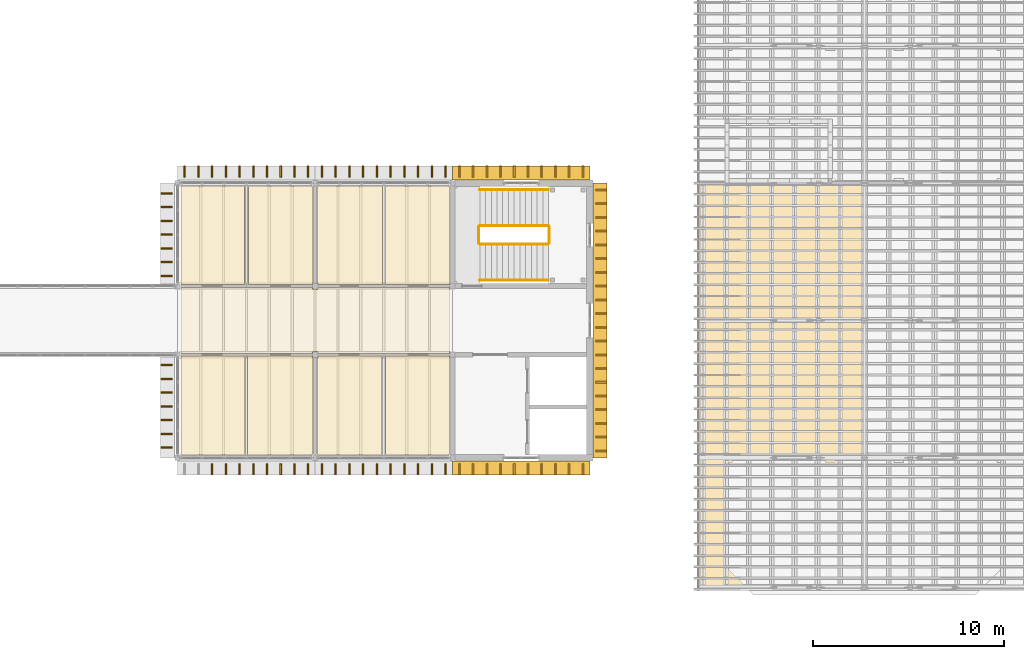
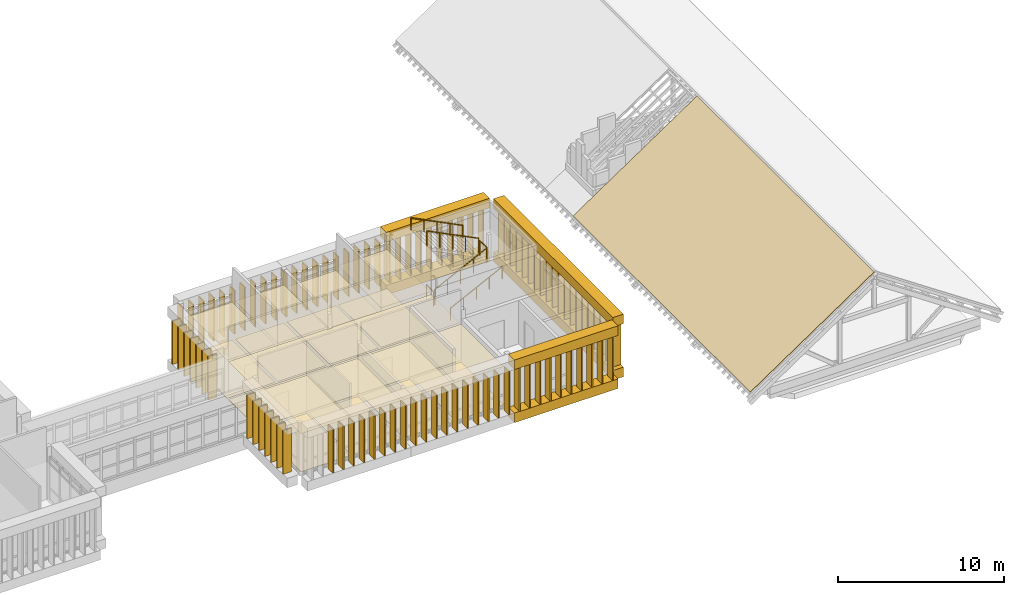
# One storey, part 49 of 51: 117 coverings, 6 railings.
"""IFC4 building model written with IfcOpenShell, lengths in metres."""

from ifc_helpers import new_model, si_unit, direction, frame, origin, origin_2d, place, context, subcontext, project, spatial, polyline, rectangle, circle, outline, extrude, material, layer, layer_set, type_object, element, save


model = new_model("IFC4")

# Units and contexts
model_context = context("Model", 3, precision=1e-05, world=origin(), true_north=direction((0.0, 1.0)))
body_context = subcontext(model_context, "Body", "Model", "MODEL_VIEW")
ifc_project = project(units=[si_unit("LENGTHUNIT", "METRE"), si_unit("AREAUNIT", "SQUARE_METRE"), si_unit("VOLUMEUNIT", "CUBIC_METRE"), si_unit("PLANEANGLEUNIT", "RADIAN"), si_unit("MASSUNIT", "GRAM", prefix="KILO")], contexts=[model_context])

# Site, building, storey
site_placement = place(None, origin())
site = spatial("IfcSite", under=ifc_project, at=site_placement, CompositionType="ELEMENT")
building_placement = place(site_placement, origin())
building = spatial("IfcBuilding", under=site, at=building_placement, Name="Mazhai Court Health Centre", CompositionType="ELEMENT")
storey_placement = place(building_placement, frame((0.0, 0.0, 14.10009765625)))
storey = spatial("IfcBuildingStorey", under=building, at=storey_placement, Name="L03", CompositionType="ELEMENT", Elevation=14.10009765625)

# Coverings
ifc_material_1 = material(Name="Gypsum plasterboard ceiling")
ifc_layer_1 = layer(ifc_material_1, 0.02001953125)
ifc_layer_set_1 = layer_set([ifc_layer_1], Name="CEILING GYPSUM BOARD 20")
covering_type_1 = type_object("IfcCoveringType", Name="CEILING GYPSUM BOARD 20", PredefinedType="CEILING", material=ifc_layer_set_1)
covering_1_placement = place(storey_placement, frame((0.0, 0.0, 2.7998046875)))
element("IfcCovering", 1, at=covering_1_placement, inside=storey, type_object=covering_type_1, Name="ceil-V4-L03-A1-immunisation-room", PredefinedType="CEILING", context=body_context, shape_type="SweptSolid", body=[
    extrude(outline(polyline([(110.53759765625, 13.56494140625), (110.53759765625, 18.72509765625), (107.1650390625, 18.72509765625), (107.1650390625, 13.56494140625), (110.53759765625, 13.56494140625)])), origin(), (0.0, 0.0, 1.0), 0.02001953125),
])
covering_2_placement = place(storey_placement, frame((0.0, 0.0, 2.7998046875)))
element("IfcCovering", 2, at=covering_2_placement, inside=storey, type_object=covering_type_1, Name="ceil-V4-L03-A1-lactation-room", PredefinedType="CEILING", context=body_context, shape_type="SweptSolid", body=[
    extrude(outline(polyline([(114.10009765625, 18.659912109375), (114.06005859375, 18.659912109375), (114.06005859375, 18.72509765625), (110.66259765625, 18.72509765625), (110.66259765625, 13.56494140625), (114.10009765625, 13.56494140625), (114.10009765625, 18.659912109375)])), origin(), (0.0, 0.0, 1.0), 0.02001953125),
])
covering_3_placement = place(storey_placement, frame((0.0, 0.0, 2.7998046875)))
element("IfcCovering", 3, at=covering_3_placement, inside=storey, type_object=covering_type_1, Name="ceil-V4-L03-A1-psychiatry-consulting-room-1", PredefinedType="CEILING", context=body_context, shape_type="SweptSolid", body=[
    extrude(outline(polyline([(114.340087890625, 18.72509765625), (114.340087890625, 18.659912109375), (114.300048828125, 18.659912109375), (114.300048828125, 13.56494140625), (117.699951171875, 13.56494140625), (117.699951171875, 18.72509765625), (114.340087890625, 18.72509765625)])), origin(), (0.0, 0.0, 1.0), 0.02001953125),
])
covering_4_placement = place(storey_placement, frame((0.0, 0.0, 2.7998046875)))
element("IfcCovering", 4, at=covering_4_placement, inside=storey, type_object=covering_type_1, Name="ceil-V4-L03-A1-psychiatry-consulting-room-2", PredefinedType="CEILING", context=body_context, shape_type="SweptSolid", body=[
    extrude(outline(polyline([(121.27490234375, 18.659912109375), (121.260009765625, 18.659912109375), (121.260009765625, 18.72509765625), (117.89990234375, 18.72509765625), (117.89990234375, 13.56494140625), (121.27490234375, 13.56494140625), (121.27490234375, 18.659912109375)])), origin(), (0.0, 0.0, 1.0), 0.02001953125),
])
covering_5_placement = place(storey_placement, frame((0.0, 0.0, 2.7998046875)))
element("IfcCovering", 5, at=covering_5_placement, inside=storey, type_object=covering_type_1, Name="ceil-V4-L03-B1-assessment-room", PredefinedType="CEILING", context=body_context, shape_type="SweptSolid", body=[
    extrude(outline(polyline([(110.5, 22.47509765625), (110.5, 27.635009765625), (107.1650390625, 27.635009765625), (107.1650390625, 22.47509765625), (110.5, 22.47509765625)])), origin(), (0.0, 0.0, 1.0), 0.02001953125),
])
covering_6_placement = place(storey_placement, frame((0.0, 0.0, 2.7998046875)))
element("IfcCovering", 6, at=covering_6_placement, inside=storey, type_object=covering_type_1, Name="ceil-V4-L03-B1-quiet-room", PredefinedType="CEILING", context=body_context, shape_type="SweptSolid", body=[
    extrude(outline(polyline([(114.06005859375, 22.47509765625), (114.06005859375, 22.5400390625), (114.10009765625, 22.5400390625), (114.10009765625, 27.635009765625), (110.699951171875, 27.635009765625), (110.699951171875, 22.47509765625), (114.06005859375, 22.47509765625)])), origin(), (0.0, 0.0, 1.0), 0.02001953125),
])
covering_7_placement = place(storey_placement, frame((0.0, 0.0, 2.89990234375)))
element("IfcCovering", 7, at=covering_7_placement, inside=storey, type_object=covering_type_1, Name="ceil-V4-L03-B1-health-administration-office", PredefinedType="CEILING", context=body_context, shape_type="SweptSolid", body=[
    extrude(outline(polyline([(121.260009765625, 22.47509765625), (121.260009765625, 22.5400390625), (121.27490234375, 22.5400390625), (121.27490234375, 27.635009765625), (117.875, 27.635009765625), (117.875, 22.47509765625), (121.260009765625, 22.47509765625)])), origin(), (0.0, 0.0, 1.0), 0.02001953125),
])
ifc_material_2 = material(Name="Mineral fibre ceiling tile")
ifc_layer_2 = layer(ifc_material_2, 0.014892578125)
ifc_layer_set_2 = layer_set([ifc_layer_2], Name="CEILING MINERAL FIBRE TILE 15")
covering_type_2 = type_object("IfcCoveringType", Name="CEILING MINERAL FIBRE TILE 15", PredefinedType="CEILING", material=ifc_layer_set_2)
covering_8_placement = place(storey_placement, frame((0.0, 0.0, 2.7998046875)))
element("IfcCovering", 8, at=covering_8_placement, inside=storey, type_object=covering_type_2, Name="ceil-V4-L03-corridor-1", PredefinedType="CEILING", context=body_context, shape_type="SweptSolid", body=[
    extrude(outline(polyline([(121.27490234375, 22.260009765625), (121.260009765625, 22.260009765625), (121.260009765625, 22.324951171875), (114.340087890625, 22.324951171875), (114.340087890625, 22.260009765625), (114.06005859375, 22.260009765625), (114.06005859375, 22.324951171875), (107.1650390625, 22.324951171875), (107.1650390625, 18.875), (114.06005859375, 18.875), (114.06005859375, 18.93994140625), (114.340087890625, 18.93994140625), (114.340087890625, 18.875), (121.260009765625, 18.875), (121.260009765625, 18.93994140625), (121.27490234375, 18.93994140625), (121.27490234375, 22.260009765625)])), origin(), (0.0, 0.0, 1.0), 0.01513671875),
])
ifc_material_3 = material(Name="Moisture resistant gypsum ceiling")
ifc_layer_3 = layer(ifc_material_3, 0.014892578125)
ifc_layer_set_3 = layer_set([ifc_layer_3], Name="CEILING MOISTURE RESISTANT BOARD 15")
covering_type_3 = type_object("IfcCoveringType", Name="CEILING MOISTURE RESISTANT BOARD 15", PredefinedType="CEILING", material=ifc_layer_set_3)
covering_9_placement = place(storey_placement, frame((0.0, 0.0, 2.599853515625)))
element("IfcCovering", 9, at=covering_9_placement, inside=storey, type_object=covering_type_3, Name="ceil-V4-L03-B1-accessible-wc", PredefinedType="CEILING", context=body_context, shape_type="SweptSolid", body=[
    extrude(outline(polyline([(114.300048828125, 22.5400390625), (114.340087890625, 22.5400390625), (114.340087890625, 22.47509765625), (117.72509765625, 22.47509765625), (117.72509765625, 27.635009765625), (114.300048828125, 27.635009765625), (114.300048828125, 22.5400390625)])), origin(), (0.0, 0.0, 1.0), 0.01513671875),
])
ifc_material_4 = material(Name="Glulam GL24h", Category="wood")
covering_type_4 = type_object("IfcCoveringType", Name="FIN RAIL CLADDING 735x700", PredefinedType="CLADDING", material=ifc_material_4)
for number, where, z_axis, x_axis, name in (
    (10, (125.0, 12.866943359375, -0.7001953125), (0.0, 0.0, 1.0), (1.0, 0.0, 0.0), "FR-V4-A5-L03"),
    (11, (125.0, 12.866943359375, 3.19970703125), (0.0, 0.0, 1.0), (1.0, 0.0, 0.0), "FR-V4-A5-RF"),
    (12, (125.0, 28.33203125, -0.7001953125), (0.0, 0.0, 1.0), (1.0, 0.0, 0.0), "FR-V4-B5-L03"),
    (13, (125.0, 28.33203125, 3.19970703125), (0.0, 0.0, 1.0), (1.0, 0.0, 0.0), "FR-V4-B5-RF"),
):
    element("IfcCovering", number, at=place(storey_placement, frame(where, z_axis=z_axis, x_axis=x_axis)), inside=storey, type_object=covering_type_4, Name=name, PredefinedType="CLADDING", context=body_context, shape_type="SweptSolid", body=[
        extrude(rectangle(XDim=7.199951171875, YDim=0.735107421875, at=origin_2d()), origin(), (0.0, 0.0, 1.0), 0.699951171875),
    ])
for number, where, z_axis, x_axis, name in (
    (14, (129.132080078125, 20.60009765625, -0.7001953125), (0.0, 0.0, 1.0), (1.0, 0.0, 0.0), "FR-V4-E-L03"),
    (15, (129.132080078125, 20.60009765625, 3.19970703125), (0.0, 0.0, 1.0), (1.0, 0.0, 0.0), "FR-V4-E-RF"),
):
    element("IfcCovering", number, at=place(storey_placement, frame(where, z_axis=z_axis, x_axis=x_axis)), inside=storey, type_object=covering_type_4, Name=name, PredefinedType="CLADDING", context=body_context, shape_type="SweptSolid", body=[
        extrude(rectangle(XDim=0.735107421875, YDim=14.39990234375, at=origin_2d()), origin(), (0.0, 0.0, 1.0), 0.699951171875),
    ])
ifc_material_5 = material(Name="Teak timber", Category="wood")
covering_type_5 = type_object("IfcCoveringType", Name="FIN TIMBER 80x600", PredefinedType="CLADDING", material=ifc_material_5)
for number, where, z_axis, x_axis, name in (
    (16, (108.800048828125, 12.800048828125, 0.0), (0.0, 0.0, 1.0), (1.0, 0.0, 0.0), "FN-V4-A3-L03-02"),
    (17, (109.52001953125, 12.800048828125, 0.0), (0.0, 0.0, 1.0), (1.0, 0.0, 0.0), "FN-V4-A3-L03-03"),
    (18, (110.239990234375, 12.800048828125, 0.0), (0.0, 0.0, 1.0), (1.0, 0.0, 0.0), "FN-V4-A3-L03-04"),
    (19, (110.9599609375, 12.800048828125, 0.0), (0.0, 0.0, 1.0), (1.0, 0.0, 0.0), "FN-V4-A3-L03-05"),
    (20, (111.679931640625, 12.800048828125, 0.0), (0.0, 0.0, 1.0), (1.0, 0.0, 0.0), "FN-V4-A3-L03-06"),
    (21, (112.39990234375, 12.800048828125, 0.0), (0.0, 0.0, 1.0), (1.0, 0.0, 0.0), "FN-V4-A3-L03-07"),
    (22, (113.1201171875, 12.800048828125, 0.0), (0.0, 0.0, 1.0), (1.0, 0.0, 0.0), "FN-V4-A3-L03-08"),
    (23, (113.840087890625, 12.800048828125, 0.0), (0.0, 0.0, 1.0), (1.0, 0.0, 0.0), "FN-V4-A3-L03-09"),
    (24, (114.56005859375, 12.800048828125, 0.0), (0.0, 0.0, 1.0), (1.0, 0.0, 0.0), "FN-V4-A4-L03-00"),
    (25, (115.280029296875, 12.800048828125, 0.0), (0.0, 0.0, 1.0), (1.0, 0.0, 0.0), "FN-V4-A4-L03-01"),
    (26, (116.0, 12.800048828125, 0.0), (0.0, 0.0, 1.0), (1.0, 0.0, 0.0), "FN-V4-A4-L03-02"),
    (27, (116.719970703125, 12.800048828125, 0.0), (0.0, 0.0, 1.0), (1.0, 0.0, 0.0), "FN-V4-A4-L03-03"),
    (28, (117.43994140625, 12.800048828125, 0.0), (0.0, 0.0, 1.0), (1.0, 0.0, 0.0), "FN-V4-A4-L03-04"),
    (29, (118.159912109375, 12.800048828125, 0.0), (0.0, 0.0, 1.0), (1.0, 0.0, 0.0), "FN-V4-A4-L03-05"),
    (30, (118.8798828125, 12.800048828125, 0.0), (0.0, 0.0, 1.0), (1.0, 0.0, 0.0), "FN-V4-A4-L03-06"),
    (31, (119.60009765625, 12.800048828125, 0.0), (0.0, 0.0, 1.0), (1.0, 0.0, 0.0), "FN-V4-A4-L03-07"),
    (32, (120.320068359375, 12.800048828125, 0.0), (0.0, 0.0, 1.0), (1.0, 0.0, 0.0), "FN-V4-A4-L03-08"),
    (33, (121.0400390625, 12.800048828125, 0.0), (0.0, 0.0, 1.0), (1.0, 0.0, 0.0), "FN-V4-A4-L03-09"),
    (34, (121.760009765625, 12.800048828125, 0.0), (0.0, 0.0, 1.0), (1.0, 0.0, 0.0), "FN-V4-A5-L03-00"),
    (35, (122.47998046875, 12.800048828125, 0.0), (0.0, 0.0, 1.0), (1.0, 0.0, 0.0), "FN-V4-A5-L03-01"),
    (36, (123.199951171875, 12.800048828125, 0.0), (0.0, 0.0, 1.0), (1.0, 0.0, 0.0), "FN-V4-A5-L03-02"),
    (37, (123.919921875, 12.800048828125, 0.0), (0.0, 0.0, 1.0), (1.0, 0.0, 0.0), "FN-V4-A5-L03-03"),
    (38, (124.639892578125, 12.800048828125, 0.0), (0.0, 0.0, 1.0), (1.0, 0.0, 0.0), "FN-V4-A5-L03-04"),
    (39, (125.360107421875, 12.800048828125, 0.0), (0.0, 0.0, 1.0), (1.0, 0.0, 0.0), "FN-V4-A5-L03-05"),
    (40, (126.080078125, 12.800048828125, 0.0), (0.0, 0.0, 1.0), (1.0, 0.0, 0.0), "FN-V4-A5-L03-06"),
    (41, (126.800048828125, 12.800048828125, 0.0), (0.0, 0.0, 1.0), (1.0, 0.0, 0.0), "FN-V4-A5-L03-07"),
    (42, (127.52001953125, 12.800048828125, 0.0), (0.0, 0.0, 1.0), (1.0, 0.0, 0.0), "FN-V4-A5-L03-08"),
    (43, (128.239990234375, 12.800048828125, 0.0), (0.0, 0.0, 1.0), (1.0, 0.0, 0.0), "FN-V4-A5-L03-09"),
    (44, (107.360107421875, 28.39990234375, 0.0), (0.0, 0.0, 1.0), (1.0, 0.0, 0.0), "FN-V4-B3-L03-00"),
    (45, (108.080078125, 28.39990234375, 0.0), (0.0, 0.0, 1.0), (1.0, 0.0, 0.0), "FN-V4-B3-L03-01"),
    (46, (108.800048828125, 28.39990234375, 0.0), (0.0, 0.0, 1.0), (1.0, 0.0, 0.0), "FN-V4-B3-L03-02"),
    (47, (109.52001953125, 28.39990234375, 0.0), (0.0, 0.0, 1.0), (1.0, 0.0, 0.0), "FN-V4-B3-L03-03"),
    (48, (110.239990234375, 28.39990234375, 0.0), (0.0, 0.0, 1.0), (1.0, 0.0, 0.0), "FN-V4-B3-L03-04"),
    (49, (110.9599609375, 28.39990234375, 0.0), (0.0, 0.0, 1.0), (1.0, 0.0, 0.0), "FN-V4-B3-L03-05"),
    (50, (111.679931640625, 28.39990234375, 0.0), (0.0, 0.0, 1.0), (1.0, 0.0, 0.0), "FN-V4-B3-L03-06"),
    (51, (112.39990234375, 28.39990234375, 0.0), (0.0, 0.0, 1.0), (1.0, 0.0, 0.0), "FN-V4-B3-L03-07"),
    (52, (113.1201171875, 28.39990234375, 0.0), (0.0, 0.0, 1.0), (1.0, 0.0, 0.0), "FN-V4-B3-L03-08"),
    (53, (113.840087890625, 28.39990234375, 0.0), (0.0, 0.0, 1.0), (1.0, 0.0, 0.0), "FN-V4-B3-L03-09"),
    (54, (114.56005859375, 28.39990234375, 0.0), (0.0, 0.0, 1.0), (1.0, 0.0, 0.0), "FN-V4-B4-L03-00"),
    (55, (115.280029296875, 28.39990234375, 0.0), (0.0, 0.0, 1.0), (1.0, 0.0, 0.0), "FN-V4-B4-L03-01"),
    (56, (116.0, 28.39990234375, 0.0), (0.0, 0.0, 1.0), (1.0, 0.0, 0.0), "FN-V4-B4-L03-02"),
    (57, (116.719970703125, 28.39990234375, 0.0), (0.0, 0.0, 1.0), (1.0, 0.0, 0.0), "FN-V4-B4-L03-03"),
    (58, (117.43994140625, 28.39990234375, 0.0), (0.0, 0.0, 1.0), (1.0, 0.0, 0.0), "FN-V4-B4-L03-04"),
    (59, (118.159912109375, 28.39990234375, 0.0), (0.0, 0.0, 1.0), (1.0, 0.0, 0.0), "FN-V4-B4-L03-05"),
    (60, (118.8798828125, 28.39990234375, 0.0), (0.0, 0.0, 1.0), (1.0, 0.0, 0.0), "FN-V4-B4-L03-06"),
    (61, (119.60009765625, 28.39990234375, 0.0), (0.0, 0.0, 1.0), (1.0, 0.0, 0.0), "FN-V4-B4-L03-07"),
    (62, (120.320068359375, 28.39990234375, 0.0), (0.0, 0.0, 1.0), (1.0, 0.0, 0.0), "FN-V4-B4-L03-08"),
    (63, (121.0400390625, 28.39990234375, 0.0), (0.0, 0.0, 1.0), (1.0, 0.0, 0.0), "FN-V4-B4-L03-09"),
    (64, (121.760009765625, 28.39990234375, 0.0), (0.0, 0.0, 1.0), (1.0, 0.0, 0.0), "FN-V4-B5-L03-00"),
    (65, (122.47998046875, 28.39990234375, 0.0), (0.0, 0.0, 1.0), (1.0, 0.0, 0.0), "FN-V4-B5-L03-01"),
    (66, (123.199951171875, 28.39990234375, 0.0), (0.0, 0.0, 1.0), (1.0, 0.0, 0.0), "FN-V4-B5-L03-02"),
    (67, (123.919921875, 28.39990234375, 0.0), (0.0, 0.0, 1.0), (1.0, 0.0, 0.0), "FN-V4-B5-L03-03"),
    (68, (124.639892578125, 28.39990234375, 0.0), (0.0, 0.0, 1.0), (1.0, 0.0, 0.0), "FN-V4-B5-L03-04"),
    (69, (125.360107421875, 28.39990234375, 0.0), (0.0, 0.0, 1.0), (1.0, 0.0, 0.0), "FN-V4-B5-L03-05"),
    (70, (126.080078125, 28.39990234375, 0.0), (0.0, 0.0, 1.0), (1.0, 0.0, 0.0), "FN-V4-B5-L03-06"),
    (71, (126.800048828125, 28.39990234375, 0.0), (0.0, 0.0, 1.0), (1.0, 0.0, 0.0), "FN-V4-B5-L03-07"),
    (72, (127.52001953125, 28.39990234375, 0.0), (0.0, 0.0, 1.0), (1.0, 0.0, 0.0), "FN-V4-B5-L03-08"),
    (73, (128.239990234375, 28.39990234375, 0.0), (0.0, 0.0, 1.0), (1.0, 0.0, 0.0), "FN-V4-B5-L03-09"),
    (74, (129.199951171875, 13.760009765625, 0.0), (0.0, 0.0, 1.0), (0.0, 1.0, 0.0), "FN-V4-E-L03-00"),
    (75, (129.199951171875, 14.47998046875, 0.0), (0.0, 0.0, 1.0), (0.0, 1.0, 0.0), "FN-V4-E-L03-01"),
    (76, (129.199951171875, 15.199951171875, 0.0), (0.0, 0.0, 1.0), (0.0, 1.0, 0.0), "FN-V4-E-L03-02"),
    (77, (129.199951171875, 15.919921875, 0.0), (0.0, 0.0, 1.0), (0.0, 1.0, 0.0), "FN-V4-E-L03-03"),
    (78, (129.199951171875, 16.639892578125, 0.0), (0.0, 0.0, 1.0), (0.0, 1.0, 0.0), "FN-V4-E-L03-04"),
    (79, (129.199951171875, 17.360107421875, 0.0), (0.0, 0.0, 1.0), (0.0, 1.0, 0.0), "FN-V4-E-L03-05"),
    (80, (129.199951171875, 18.080078125, 0.0), (0.0, 0.0, 1.0), (0.0, 1.0, 0.0), "FN-V4-E-L03-06"),
    (81, (129.199951171875, 18.800048828125, 0.0), (0.0, 0.0, 1.0), (0.0, 1.0, 0.0), "FN-V4-E-L03-07"),
    (82, (129.199951171875, 19.52001953125, 0.0), (0.0, 0.0, 1.0), (0.0, 1.0, 0.0), "FN-V4-E-L03-08"),
    (83, (129.199951171875, 20.239990234375, 0.0), (0.0, 0.0, 1.0), (0.0, 1.0, 0.0), "FN-V4-E-L03-09"),
    (84, (129.199951171875, 20.9599609375, 0.0), (0.0, 0.0, 1.0), (0.0, 1.0, 0.0), "FN-V4-E-L03-10"),
    (85, (129.199951171875, 21.679931640625, 0.0), (0.0, 0.0, 1.0), (0.0, 1.0, 0.0), "FN-V4-E-L03-11"),
    (86, (129.199951171875, 22.39990234375, 0.0), (0.0, 0.0, 1.0), (0.0, 1.0, 0.0), "FN-V4-E-L03-12"),
    (87, (129.199951171875, 23.1201171875, 0.0), (0.0, 0.0, 1.0), (0.0, 1.0, 0.0), "FN-V4-E-L03-13"),
    (88, (129.199951171875, 23.840087890625, 0.0), (0.0, 0.0, 1.0), (0.0, 1.0, 0.0), "FN-V4-E-L03-14"),
    (89, (129.199951171875, 24.56005859375, 0.0), (0.0, 0.0, 1.0), (0.0, 1.0, 0.0), "FN-V4-E-L03-15"),
    (90, (129.199951171875, 25.280029296875, 0.0), (0.0, 0.0, 1.0), (0.0, 1.0, 0.0), "FN-V4-E-L03-16"),
    (91, (129.199951171875, 26.0, 0.0), (0.0, 0.0, 1.0), (0.0, 1.0, 0.0), "FN-V4-E-L03-17"),
    (92, (129.199951171875, 26.719970703125, 0.0), (0.0, 0.0, 1.0), (0.0, 1.0, 0.0), "FN-V4-E-L03-18"),
    (93, (129.199951171875, 27.43994140625, 0.0), (0.0, 0.0, 1.0), (0.0, 1.0, 0.0), "FN-V4-E-L03-19"),
    (94, (106.39990234375, 13.93994140625, 0.0), (0.0, 0.0, 1.0), (0.0, 1.0, 0.0), "FN-V4-CW5-0-L03-00"),
    (95, (106.39990234375, 14.659912109375, 0.0), (0.0, 0.0, 1.0), (0.0, 1.0, 0.0), "FN-V4-CW5-0-L03-01"),
    (96, (106.39990234375, 15.3798828125, 0.0), (0.0, 0.0, 1.0), (0.0, 1.0, 0.0), "FN-V4-CW5-0-L03-02"),
    (97, (106.39990234375, 16.10009765625, 0.0), (0.0, 0.0, 1.0), (0.0, 1.0, 0.0), "FN-V4-CW5-0-L03-03"),
    (98, (106.39990234375, 16.820068359375, 0.0), (0.0, 0.0, 1.0), (0.0, 1.0, 0.0), "FN-V4-CW5-0-L03-04"),
    (99, (106.39990234375, 17.5400390625, 0.0), (0.0, 0.0, 1.0), (0.0, 1.0, 0.0), "FN-V4-CW5-0-L03-05"),
    (100, (106.39990234375, 18.260009765625, 0.0), (0.0, 0.0, 1.0), (0.0, 1.0, 0.0), "FN-V4-CW5-0-L03-06"),
    (101, (106.39990234375, 22.93994140625, 0.0), (0.0, 0.0, 1.0), (0.0, 1.0, 0.0), "FN-V4-CW5-1-L03-00"),
    (102, (106.39990234375, 23.659912109375, 0.0), (0.0, 0.0, 1.0), (0.0, 1.0, 0.0), "FN-V4-CW5-1-L03-01"),
    (103, (106.39990234375, 24.3798828125, 0.0), (0.0, 0.0, 1.0), (0.0, 1.0, 0.0), "FN-V4-CW5-1-L03-02"),
    (104, (106.39990234375, 25.10009765625, 0.0), (0.0, 0.0, 1.0), (0.0, 1.0, 0.0), "FN-V4-CW5-1-L03-03"),
    (105, (106.39990234375, 25.820068359375, 0.0), (0.0, 0.0, 1.0), (0.0, 1.0, 0.0), "FN-V4-CW5-1-L03-04"),
    (106, (106.39990234375, 26.5400390625, 0.0), (0.0, 0.0, 1.0), (0.0, 1.0, 0.0), "FN-V4-CW5-1-L03-05"),
    (107, (106.39990234375, 27.260009765625, 0.0), (0.0, 0.0, 1.0), (0.0, 1.0, 0.0), "FN-V4-CW5-1-L03-06"),
):
    element("IfcCovering", number, at=place(storey_placement, frame(where, z_axis=z_axis, x_axis=x_axis)), inside=storey, type_object=covering_type_5, Name=name, PredefinedType="CLADDING", context=body_context, shape_type="SweptSolid", body=[
        extrude(rectangle(XDim=0.080078125, YDim=0.60009765625, at=origin_2d()), origin(), (0.0, 0.0, 1.0), 3.199951171875),
    ])
ifc_material_6 = material(Name="Heavy duty vinyl flooring")
ifc_layer_4 = layer(ifc_material_6, 0.02001953125)
ifc_layer_set_4 = layer_set([ifc_layer_4], Name="FLOOR FINISH HEAVY DUTY VINYL FLOORING 20")
covering_type_6 = type_object("IfcCoveringType", Name="FLOOR FINISH HEAVY DUTY VINYL FLOORING 20", PredefinedType="FLOORING", material=ifc_layer_set_4)
covering_10_placement = place(storey_placement, origin())
element("IfcCovering", 108, at=covering_10_placement, inside=storey, type_object=covering_type_6, Name="floor-V4-L03-A1-immunisation-room", PredefinedType="FLOORING", context=body_context, shape_type="SweptSolid", body=[
    extrude(outline(polyline([(110.53759765625, 13.56494140625), (110.53759765625, 18.72509765625), (107.1650390625, 18.72509765625), (107.1650390625, 13.56494140625), (110.53759765625, 13.56494140625)])), origin(), (0.0, 0.0, 1.0), 0.02001953125),
])
covering_11_placement = place(storey_placement, origin())
element("IfcCovering", 109, at=covering_11_placement, inside=storey, type_object=covering_type_6, Name="floor-V4-L03-A1-lactation-room", PredefinedType="FLOORING", context=body_context, shape_type="SweptSolid", body=[
    extrude(outline(polyline([(114.10009765625, 18.659912109375), (114.06005859375, 18.659912109375), (114.06005859375, 18.72509765625), (110.66259765625, 18.72509765625), (110.66259765625, 13.56494140625), (114.10009765625, 13.56494140625), (114.10009765625, 18.659912109375)])), origin(), (0.0, 0.0, 1.0), 0.02001953125),
])
ifc_material_7 = material(Name="Linoleum flooring")
ifc_layer_5 = layer(ifc_material_7, 0.02001953125)
ifc_layer_set_5 = layer_set([ifc_layer_5], Name="FLOOR FINISH LINOLEUM FLOORING 20")
covering_type_7 = type_object("IfcCoveringType", Name="FLOOR FINISH LINOLEUM FLOORING 20", PredefinedType="FLOORING", material=ifc_layer_set_5)
covering_12_placement = place(storey_placement, origin())
element("IfcCovering", 110, at=covering_12_placement, inside=storey, type_object=covering_type_7, Name="floor-V4-L03-A1-psychiatry-consulting-room-1", PredefinedType="FLOORING", context=body_context, shape_type="SweptSolid", body=[
    extrude(outline(polyline([(114.340087890625, 18.72509765625), (114.340087890625, 18.659912109375), (114.300048828125, 18.659912109375), (114.300048828125, 13.56494140625), (117.699951171875, 13.56494140625), (117.699951171875, 18.72509765625), (114.340087890625, 18.72509765625)])), origin(), (0.0, 0.0, 1.0), 0.02001953125),
])
covering_13_placement = place(storey_placement, origin())
element("IfcCovering", 111, at=covering_13_placement, inside=storey, type_object=covering_type_7, Name="floor-V4-L03-A1-psychiatry-consulting-room-2", PredefinedType="FLOORING", context=body_context, shape_type="SweptSolid", body=[
    extrude(outline(polyline([(121.27490234375, 18.659912109375), (121.260009765625, 18.659912109375), (121.260009765625, 18.72509765625), (117.89990234375, 18.72509765625), (117.89990234375, 13.56494140625), (121.27490234375, 13.56494140625), (121.27490234375, 18.659912109375)])), origin(), (0.0, 0.0, 1.0), 0.02001953125),
])
covering_14_placement = place(storey_placement, origin())
element("IfcCovering", 112, at=covering_14_placement, inside=storey, type_object=covering_type_7, Name="floor-V4-L03-B1-assessment-room", PredefinedType="FLOORING", context=body_context, shape_type="SweptSolid", body=[
    extrude(outline(polyline([(110.5, 22.47509765625), (110.5, 27.635009765625), (107.1650390625, 27.635009765625), (107.1650390625, 22.47509765625), (110.5, 22.47509765625)])), origin(), (0.0, 0.0, 1.0), 0.02001953125),
])
covering_15_placement = place(storey_placement, origin())
element("IfcCovering", 113, at=covering_15_placement, inside=storey, type_object=covering_type_7, Name="floor-V4-L03-B1-quiet-room", PredefinedType="FLOORING", context=body_context, shape_type="SweptSolid", body=[
    extrude(outline(polyline([(114.06005859375, 22.47509765625), (114.06005859375, 22.5400390625), (114.10009765625, 22.5400390625), (114.10009765625, 27.635009765625), (110.699951171875, 27.635009765625), (110.699951171875, 22.47509765625), (114.06005859375, 22.47509765625)])), origin(), (0.0, 0.0, 1.0), 0.02001953125),
])
covering_16_placement = place(storey_placement, origin())
element("IfcCovering", 114, at=covering_16_placement, inside=storey, type_object=covering_type_7, Name="floor-V4-L03-B1-health-administration-office", PredefinedType="FLOORING", context=body_context, shape_type="SweptSolid", body=[
    extrude(outline(polyline([(121.260009765625, 22.47509765625), (121.260009765625, 22.5400390625), (121.27490234375, 22.5400390625), (121.27490234375, 27.635009765625), (117.875, 27.635009765625), (117.875, 22.47509765625), (121.260009765625, 22.47509765625)])), origin(), (0.0, 0.0, 1.0), 0.02001953125),
])
ifc_material_8 = material(Name="Porcelain tile flooring")
ifc_layer_6 = layer(ifc_material_8, 0.02490234375)
ifc_layer_set_6 = layer_set([ifc_layer_6], Name="FLOOR FINISH PORCELAIN TILE FLOORING 25")
covering_type_8 = type_object("IfcCoveringType", Name="FLOOR FINISH PORCELAIN TILE FLOORING 25", PredefinedType="FLOORING", material=ifc_layer_set_6)
covering_17_placement = place(storey_placement, origin())
element("IfcCovering", 115, at=covering_17_placement, inside=storey, type_object=covering_type_8, Name="floor-V4-L03-B1-accessible-wc", PredefinedType="FLOORING", context=body_context, shape_type="SweptSolid", body=[
    extrude(outline(polyline([(114.300048828125, 22.5400390625), (114.340087890625, 22.5400390625), (114.340087890625, 22.47509765625), (117.72509765625, 22.47509765625), (117.72509765625, 27.635009765625), (114.300048828125, 27.635009765625), (114.300048828125, 22.5400390625)])), origin(), (0.0, 0.0, 1.0), 0.02490234375),
])
ifc_material_9 = material(Name="Terrazzo flooring")
ifc_layer_7 = layer(ifc_material_9, 0.0400390625)
ifc_layer_set_7 = layer_set([ifc_layer_7], Name="FLOOR FINISH TERRAZZO FLOORING 40")
covering_type_9 = type_object("IfcCoveringType", Name="FLOOR FINISH TERRAZZO FLOORING 40", PredefinedType="FLOORING", material=ifc_layer_set_7)
covering_18_placement = place(storey_placement, origin())
element("IfcCovering", 116, at=covering_18_placement, inside=storey, type_object=covering_type_9, Name="floor-V4-L03-corridor-1", PredefinedType="FLOORING", context=body_context, shape_type="SweptSolid", body=[
    extrude(outline(polyline([(121.27490234375, 22.260009765625), (121.260009765625, 22.260009765625), (121.260009765625, 22.324951171875), (114.340087890625, 22.324951171875), (114.340087890625, 22.260009765625), (114.06005859375, 22.260009765625), (114.06005859375, 22.324951171875), (107.1650390625, 22.324951171875), (107.1650390625, 18.875), (114.06005859375, 18.875), (114.06005859375, 18.93994140625), (114.340087890625, 18.93994140625), (114.340087890625, 18.875), (121.260009765625, 18.875), (121.260009765625, 18.93994140625), (121.27490234375, 18.93994140625), (121.27490234375, 22.260009765625)])), origin(), (0.0, 0.0, 1.0), 0.039794921875),
])
ifc_material_10 = material(Name="Clay roof tile")
ifc_layer_8 = layer(ifc_material_10, 0.030029296875)
ifc_layer_set_8 = layer_set([ifc_layer_8], Name="ROOFING CLAY ROOF TILE 30")
covering_type_10 = type_object("IfcCoveringType", Name="ROOFING CLAY ROOF TILE 30", PredefinedType="ROOFING", material=ifc_layer_set_8)
covering_19_placement = place(storey_placement, frame((142.92724609375, 6.449951171875, 6.521728515625), z_axis=(-0.559191170707, 0.0, 0.829038741316), x_axis=(-0.829038741316, 0.0, -0.559191170707)))
element("IfcCovering", 117, at=covering_19_placement, inside=storey, type_object=covering_type_10, Name="Roof covering RV6-RC1", PredefinedType="ROOFING", context=body_context, shape_type="SweptSolid", body=[
    extrude(outline(polyline([(0.0, 0.0), (10.40626551652731, 0.0), (10.40626551652731, -21.350097656250004), (0.0, -21.350097656250004), (0.0, 0.0)])), origin(), (0.0, 0.0, -1.0), 0.030029296875),
])

# Railings
ifc_material_11 = material(Name="Steel IS 2062 E250", Category="steel")
railing_type_1 = type_object("IfcRailingType", Name="STAIR GUARD 1100", PredefinedType="GUARDRAIL", material=ifc_material_11)
railing_1_placement = place(storey_placement, frame((122.8349609375, 24.60498046875, 0.14990234375)))
element("IfcRailing", 118, at=railing_1_placement, inside=storey, type_object=railing_type_1, Name="L03 ST7 stair guard 1", PredefinedType="GUARDRAIL", context=body_context, shape_type="SweptSolid", body=[
    extrude(circle(Radius=0.02392578125, at=origin_2d()), frame((0.0, 0.0, 1.076171875), z_axis=(0.894427191, 0.0, 0.4472135955), x_axis=(0.0, 1.0, 0.0)), (0.0, 0.0, 1.0), 4.025146484375),
    extrude(circle(Radius=0.02099609375, at=origin_2d()), origin(), (0.0, 0.0, 1.0), 1.052001953125),
    extrude(circle(Radius=0.02099609375, at=origin_2d()), frame((0.89990234375, 0.0, 0.449951171875)), (0.0, 0.0, 1.0), 1.052001953125),
    extrude(circle(Radius=0.02099609375, at=origin_2d()), frame((1.800048828125, 0.0, 0.89990234375)), (0.0, 0.0, 1.0), 1.052001953125),
    extrude(circle(Radius=0.02099609375, at=origin_2d()), frame((2.7001953125, 0.0, 1.35009765625)), (0.0, 0.0, 1.0), 1.052001953125),
    extrude(circle(Radius=0.02099609375, at=origin_2d()), frame((3.60009765625, 0.0, 1.800048828125)), (0.0, 0.0, 1.0), 1.052001953125),
])
railing_2_placement = place(storey_placement, frame((126.485107421875, 24.655029296875, 1.949951171875)))
element("IfcRailing", 119, at=railing_2_placement, inside=storey, type_object=railing_type_1, Name="L03 ST7 stair guard 2", PredefinedType="GUARDRAIL", context=body_context, shape_type="SweptSolid", body=[
    extrude(circle(Radius=0.02392578125, at=origin_2d()), frame((0.0, 0.0, 1.076171875), z_axis=(0.0, 1.0, 0.0), x_axis=(-1.0, 0.0, 0.0)), (0.0, 0.0, 1.0), 0.849853515625),
    extrude(circle(Radius=0.02099609375, at=origin_2d()), origin(), (0.0, 0.0, 1.0), 1.052001953125),
    extrude(circle(Radius=0.02099609375, at=origin_2d()), frame((0.0, 0.849853515625, 0.0)), (0.0, 0.0, 1.0), 1.052001953125),
])
railing_3_placement = place(storey_placement, frame((126.43505859375, 25.554931640625, 2.099853515625)))
element("IfcRailing", 120, at=railing_3_placement, inside=storey, type_object=railing_type_1, Name="L03 ST7 stair guard 3", PredefinedType="GUARDRAIL", context=body_context, shape_type="SweptSolid", body=[
    extrude(circle(Radius=0.02392578125, at=origin_2d()), frame((0.0, 0.0, 1.076171875), z_axis=(-0.894427191, 0.0, 0.4472135955), x_axis=(0.0, -1.0, 0.0)), (0.0, 0.0, 1.0), 4.025146484375),
    extrude(circle(Radius=0.02099609375, at=origin_2d()), origin(), (0.0, 0.0, 1.0), 1.052001953125),
    extrude(circle(Radius=0.02099609375, at=origin_2d()), frame((-0.89990234375, 0.0, 0.449951171875)), (0.0, 0.0, 1.0), 1.052001953125),
    extrude(circle(Radius=0.02099609375, at=origin_2d()), frame((-1.800048828125, 0.0, 0.89990234375)), (0.0, 0.0, 1.0), 1.052001953125),
    extrude(circle(Radius=0.02099609375, at=origin_2d()), frame((-2.7001953125, 0.0, 1.35009765625)), (0.0, 0.0, 1.0), 1.052001953125),
    extrude(circle(Radius=0.02099609375, at=origin_2d()), frame((-3.60009765625, 0.0, 1.800048828125)), (0.0, 0.0, 1.0), 1.052001953125),
])
railing_4_placement = place(storey_placement, frame((122.784912109375, 24.655029296875, 0.0)))
element("IfcRailing", 121, at=railing_4_placement, inside=storey, type_object=railing_type_1, Name="L03 ST7 stair guard 4", PredefinedType="GUARDRAIL", context=body_context, shape_type="SweptSolid", body=[
    extrude(circle(Radius=0.02392578125, at=origin_2d()), frame((0.0, 0.0, 1.076171875), z_axis=(0.0, 1.0, 0.0), x_axis=(-1.0, 0.0, 0.0)), (0.0, 0.0, 1.0), 0.849853515625),
    extrude(circle(Radius=0.02099609375, at=origin_2d()), origin(), (0.0, 0.0, 1.0), 1.052001953125),
    extrude(circle(Radius=0.02099609375, at=origin_2d()), frame((0.0, 0.849853515625, 0.0)), (0.0, 0.0, 1.0), 1.052001953125),
])
ifc_material_12 = material(Name="Steel IS 2062 E250", Category="steel")
railing_type_2 = type_object("IfcRailingType", Name="STAIR HANDRAIL 900", PredefinedType="HANDRAIL", material=ifc_material_12)
railing_5_placement = place(storey_placement, frame((122.8349609375, 22.705078125, 0.14990234375)))
element("IfcRailing", 122, at=railing_5_placement, inside=storey, type_object=railing_type_2, Name="L03 ST7 stair handrail 1", PredefinedType="HANDRAIL", context=body_context, shape_type="SweptSolid", body=[
    extrude(circle(Radius=0.02392578125, at=origin_2d()), frame((0.0, 0.0, 0.8759765625), z_axis=(0.894427191, 0.0, 0.4472135955), x_axis=(0.0, 1.0, 0.0)), (0.0, 0.0, 1.0), 4.025146484375),
    extrude(circle(Radius=0.02099609375, at=origin_2d()), origin(), (0.0, 0.0, 1.0), 0.851806640625),
    extrude(circle(Radius=0.02099609375, at=origin_2d()), frame((0.89990234375, 0.0, 0.449951171875)), (0.0, 0.0, 1.0), 0.851806640625),
    extrude(circle(Radius=0.02099609375, at=origin_2d()), frame((1.800048828125, 0.0, 0.89990234375)), (0.0, 0.0, 1.0), 0.851806640625),
    extrude(circle(Radius=0.02099609375, at=origin_2d()), frame((2.7001953125, 0.0, 1.35009765625)), (0.0, 0.0, 1.0), 0.851806640625),
    extrude(circle(Radius=0.02099609375, at=origin_2d()), frame((3.60009765625, 0.0, 1.800048828125)), (0.0, 0.0, 1.0), 0.851806640625),
])
railing_6_placement = place(storey_placement, frame((126.43505859375, 27.455078125, 2.099853515625)))
element("IfcRailing", 123, at=railing_6_placement, inside=storey, type_object=railing_type_2, Name="L03 ST7 stair handrail 2", PredefinedType="HANDRAIL", context=body_context, shape_type="SweptSolid", body=[
    extrude(circle(Radius=0.02392578125, at=origin_2d()), frame((0.0, 0.0, 0.8759765625), z_axis=(-0.894427191, 0.0, 0.4472135955), x_axis=(0.0, -1.0, 0.0)), (0.0, 0.0, 1.0), 4.025146484375),
    extrude(circle(Radius=0.02099609375, at=origin_2d()), origin(), (0.0, 0.0, 1.0), 0.851806640625),
    extrude(circle(Radius=0.02099609375, at=origin_2d()), frame((-0.89990234375, 0.0, 0.449951171875)), (0.0, 0.0, 1.0), 0.851806640625),
    extrude(circle(Radius=0.02099609375, at=origin_2d()), frame((-1.800048828125, 0.0, 0.89990234375)), (0.0, 0.0, 1.0), 0.851806640625),
    extrude(circle(Radius=0.02099609375, at=origin_2d()), frame((-2.7001953125, 0.0, 1.35009765625)), (0.0, 0.0, 1.0), 0.851806640625),
    extrude(circle(Radius=0.02099609375, at=origin_2d()), frame((-3.60009765625, 0.0, 1.800048828125)), (0.0, 0.0, 1.0), 0.851806640625),
])

save(model, "model.ifc")
